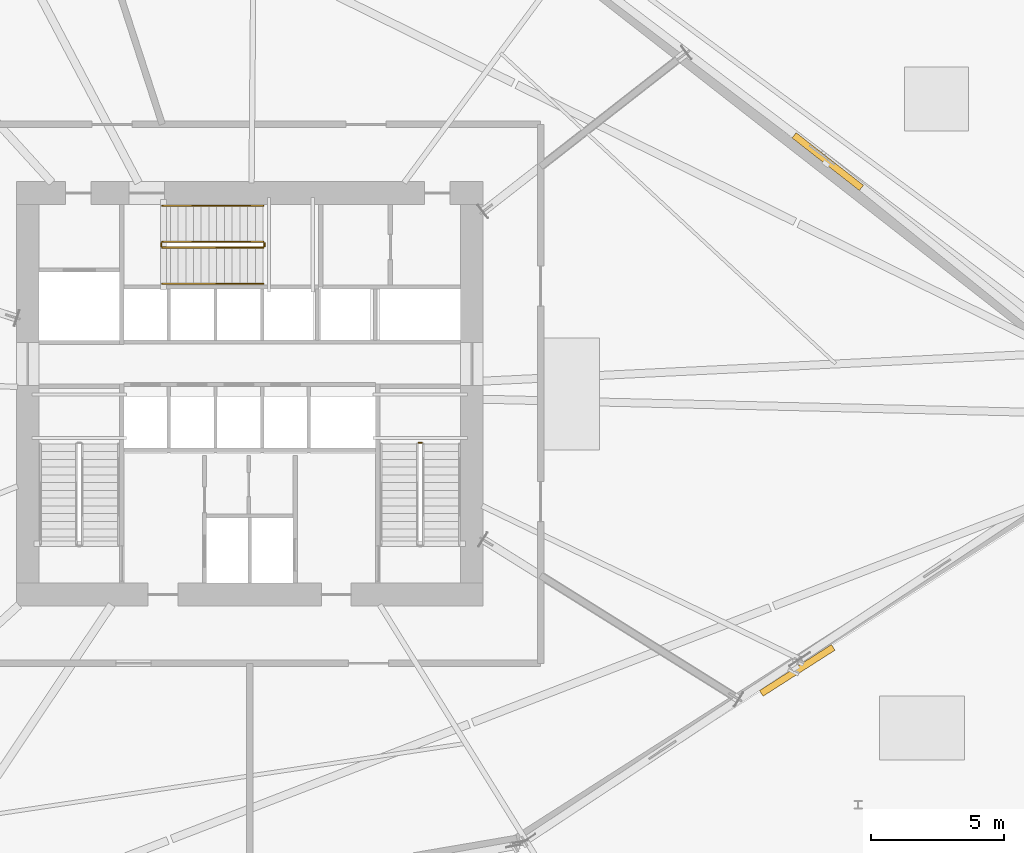
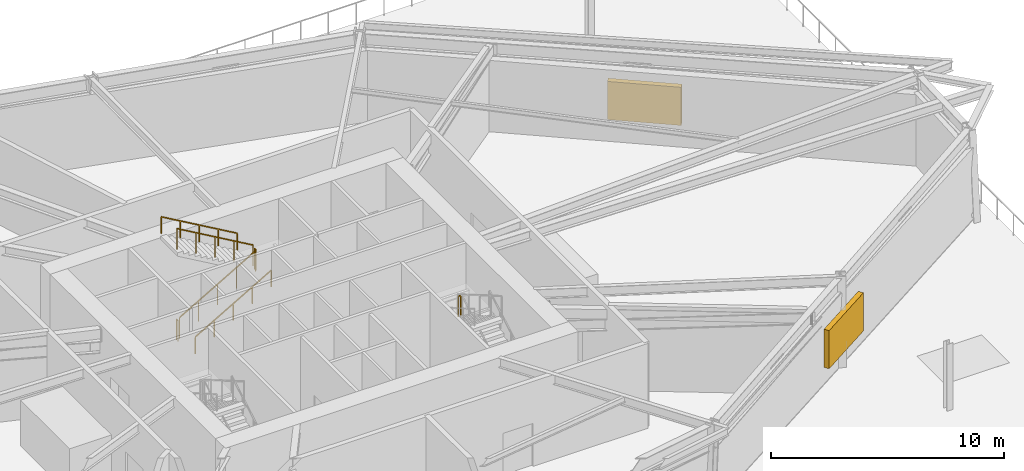
# One storey, part 18 of 20: 7 railings, 2 shading devices.
"""IFC4 building model written with IfcOpenShell, lengths in metres."""

from ifc_helpers import new_model, si_unit, direction, frame, origin, origin_2d, place, context, subcontext, project, spatial, rectangle, extrude, source, transform, mapped, material, type_object, element, save


model = new_model("IFC4")

# Units and contexts
model_context = context("Model", 3, precision=1e-05, world=origin(), true_north=direction((0.0, 1.0)))
body_context = subcontext(model_context, "Body", "Model", "MODEL_VIEW")
ifc_project = project(units=[si_unit("LENGTHUNIT", "METRE"), si_unit("AREAUNIT", "SQUARE_METRE"), si_unit("VOLUMEUNIT", "CUBIC_METRE"), si_unit("PLANEANGLEUNIT", "RADIAN"), si_unit("MASSUNIT", "GRAM", prefix="KILO")], contexts=[model_context])

# Site, building, storey
site_placement = place(None, origin())
site = spatial("IfcSite", under=ifc_project, at=site_placement, CompositionType="ELEMENT")
building_placement = place(site_placement, origin())
building = spatial("IfcBuilding", under=site, at=building_placement, Name="Olszyna Solenne Hotel", CompositionType="ELEMENT")
storey_placement = place(building_placement, frame((0.0, 0.0, 24.60009765625)))
storey = spatial("IfcBuildingStorey", under=building, at=storey_placement, Name="L05", CompositionType="ELEMENT", Elevation=24.60009765625)

# Railings
ifc_material_1 = material(Name="Anodised bronze aluminium", Category="aluminium")
railing_type_1 = type_object("IfcRailingType", Name="GR-110", PredefinedType="BALUSTRADE", material=ifc_material_1)
railing_1_placement = place(storey_placement, frame((44.449951171875, 24.77001953125, 2.349853515625)))
element("IfcRailing", 1, at=railing_1_placement, inside=storey, type_object=railing_type_1, Name="L05 ST2 stair guard 2", PredefinedType="BALUSTRADE", context=body_context, shape_type="SweptSolid", body=[
    extrude(rectangle(XDim=0.048095703125, YDim=0.048095703125, at=origin_2d()), frame((0.0, 0.0, 1.076171875), z_axis=(-1.0, 0.0, 0.0), x_axis=(0.0, -1.0, 0.0)), (0.0, 0.0, 1.0), 0.119873046875),
    extrude(rectangle(XDim=0.0419921875, YDim=0.0419921875, at=origin_2d()), origin(), (0.0, 0.0, 1.0), 1.052001953125),
    extrude(rectangle(XDim=0.0419921875, YDim=0.0419921875, at=origin_2d()), frame((-0.119873046875, 0.0, 0.0)), (0.0, 0.0, 1.0), 1.052001953125),
])
railing_2_placement = place(storey_placement, frame((34.72998046875, 32.080078125, 0.167724609375)))
element("IfcRailing", 2, at=railing_2_placement, inside=storey, type_object=railing_type_1, Name="L05 ST3 stair guard 1", PredefinedType="BALUSTRADE", context=body_context, shape_type="SweptSolid", body=[
    extrude(rectangle(XDim=0.048095703125, YDim=0.048095703125, at=origin_2d()), frame((0.0, 0.0, 1.076171875), z_axis=(0.865477444186, 0.0, 0.5009478951), x_axis=(0.0, 1.0, 0.0)), (0.0, 0.0, 1.0), 4.35595703125),
    extrude(rectangle(XDim=0.0419921875, YDim=0.0419921875, at=origin_2d()), origin(), (0.0, 0.0, 1.0), 1.052001953125),
    extrude(rectangle(XDim=0.0419921875, YDim=0.0419921875, at=origin_2d()), frame((0.9423828125, 0.0, 0.54541015625)), (0.0, 0.0, 1.0), 1.052001953125),
    extrude(rectangle(XDim=0.0419921875, YDim=0.0419921875, at=origin_2d()), frame((1.885009765625, 0.0, 1.091064453125)), (0.0, 0.0, 1.0), 1.052001953125),
    extrude(rectangle(XDim=0.0419921875, YDim=0.0419921875, at=origin_2d()), frame((2.82763671875, 0.0, 1.63671875)), (0.0, 0.0, 1.0), 1.052001953125),
    extrude(rectangle(XDim=0.0419921875, YDim=0.0419921875, at=origin_2d()), frame((3.77001953125, 0.0, 2.18212890625)), (0.0, 0.0, 1.0), 1.052001953125),
])
railing_3_placement = place(storey_placement, frame((38.550048828125, 32.1298828125, 2.349853515625)))
element("IfcRailing", 3, at=railing_3_placement, inside=storey, type_object=railing_type_1, Name="L05 ST3 stair guard 2", PredefinedType="BALUSTRADE", context=body_context, shape_type="SweptSolid", body=[
    extrude(rectangle(XDim=0.048095703125, YDim=0.048095703125, at=origin_2d()), frame((0.0, 0.0, 1.076171875), z_axis=(0.0, 1.0, 0.0), x_axis=(-1.0, 0.0, 0.0)), (0.0, 0.0, 1.0), 0.1201171875),
    extrude(rectangle(XDim=0.0419921875, YDim=0.0419921875, at=origin_2d()), origin(), (0.0, 0.0, 1.0), 1.052001953125),
    extrude(rectangle(XDim=0.0419921875, YDim=0.0419921875, at=origin_2d()), frame((0.0, 0.1201171875, 0.0)), (0.0, 0.0, 1.0), 1.052001953125),
])
railing_4_placement = place(storey_placement, frame((38.5, 32.300048828125, 2.517822265625)))
element("IfcRailing", 4, at=railing_4_placement, inside=storey, type_object=railing_type_1, Name="L05 ST3 stair guard 3", PredefinedType="BALUSTRADE", context=body_context, shape_type="SweptSolid", body=[
    extrude(rectangle(XDim=0.048095703125, YDim=0.048095703125, at=origin_2d()), frame((0.0, 0.0, 1.076171875), z_axis=(-0.865477444186, 0.0, 0.5009478951), x_axis=(0.0, -1.0, 0.0)), (0.0, 0.0, 1.0), 4.35595703125),
    extrude(rectangle(XDim=0.0419921875, YDim=0.0419921875, at=origin_2d()), origin(), (0.0, 0.0, 1.0), 1.052001953125),
    extrude(rectangle(XDim=0.0419921875, YDim=0.0419921875, at=origin_2d()), frame((-0.9423828125, 0.0, 0.54541015625)), (0.0, 0.0, 1.0), 1.052001953125),
    extrude(rectangle(XDim=0.0419921875, YDim=0.0419921875, at=origin_2d()), frame((-1.885009765625, 0.0, 1.091064453125)), (0.0, 0.0, 1.0), 1.052001953125),
    extrude(rectangle(XDim=0.0419921875, YDim=0.0419921875, at=origin_2d()), frame((-2.82763671875, 0.0, 1.63671875)), (0.0, 0.0, 1.0), 1.052001953125),
    extrude(rectangle(XDim=0.0419921875, YDim=0.0419921875, at=origin_2d()), frame((-3.77001953125, 0.0, 2.18212890625)), (0.0, 0.0, 1.0), 1.052001953125),
])
railing_5_placement = place(storey_placement, frame((34.679931640625, 32.1298828125, 0.0)))
element("IfcRailing", 5, at=railing_5_placement, inside=storey, type_object=railing_type_1, Name="L05 ST3 stair guard 4", PredefinedType="BALUSTRADE", context=body_context, shape_type="SweptSolid", body=[
    extrude(rectangle(XDim=0.048095703125, YDim=0.048095703125, at=origin_2d()), frame((0.0, 0.0, 1.076171875), z_axis=(0.0, 1.0, 0.0), x_axis=(-1.0, 0.0, 0.0)), (0.0, 0.0, 1.0), 0.1201171875),
    extrude(rectangle(XDim=0.0419921875, YDim=0.0419921875, at=origin_2d()), origin(), (0.0, 0.0, 1.0), 1.052001953125),
    extrude(rectangle(XDim=0.0419921875, YDim=0.0419921875, at=origin_2d()), frame((0.0, 0.1201171875, 0.0)), (0.0, 0.0, 1.0), 1.052001953125),
])
ifc_material_2 = material(Name="Steel S355J2", Category="steel")
railing_type_2 = type_object("IfcRailingType", Name="HR-090", PredefinedType="HANDRAIL", material=ifc_material_2)
railing_6_placement = place(storey_placement, frame((34.72998046875, 30.72998046875, 0.167724609375)))
element("IfcRailing", 6, at=railing_6_placement, inside=storey, type_object=railing_type_2, Name="L05 ST3 stair handrail 1", PredefinedType="HANDRAIL", context=body_context, shape_type="SweptSolid", body=[
    extrude(rectangle(XDim=0.048095703125, YDim=0.048095703125, at=origin_2d()), frame((0.0, 0.0, 0.8759765625), z_axis=(0.865477444186, 0.0, 0.5009478951), x_axis=(0.0, 1.0, 0.0)), (0.0, 0.0, 1.0), 4.35595703125),
    extrude(rectangle(XDim=0.0419921875, YDim=0.0419921875, at=origin_2d()), origin(), (0.0, 0.0, 1.0), 0.851806640625),
    extrude(rectangle(XDim=0.0419921875, YDim=0.0419921875, at=origin_2d()), frame((0.9423828125, 0.0, 0.54541015625)), (0.0, 0.0, 1.0), 0.851806640625),
    extrude(rectangle(XDim=0.0419921875, YDim=0.0419921875, at=origin_2d()), frame((1.885009765625, 0.0, 1.091064453125)), (0.0, 0.0, 1.0), 0.851806640625),
    extrude(rectangle(XDim=0.0419921875, YDim=0.0419921875, at=origin_2d()), frame((2.82763671875, 0.0, 1.63671875)), (0.0, 0.0, 1.0), 0.851806640625),
    extrude(rectangle(XDim=0.0419921875, YDim=0.0419921875, at=origin_2d()), frame((3.77001953125, 0.0, 2.18212890625)), (0.0, 0.0, 1.0), 0.851806640625),
])
railing_7_placement = place(storey_placement, frame((38.5, 33.64990234375, 2.517822265625)))
element("IfcRailing", 7, at=railing_7_placement, inside=storey, type_object=railing_type_2, Name="L05 ST3 stair handrail 2", PredefinedType="HANDRAIL", context=body_context, shape_type="SweptSolid", body=[
    extrude(rectangle(XDim=0.048095703125, YDim=0.048095703125, at=origin_2d()), frame((0.0, 0.0, 0.8759765625), z_axis=(-0.865477444186, 0.0, 0.5009478951), x_axis=(0.0, -1.0, 0.0)), (0.0, 0.0, 1.0), 4.35595703125),
    extrude(rectangle(XDim=0.0419921875, YDim=0.0419921875, at=origin_2d()), origin(), (0.0, 0.0, 1.0), 0.851806640625),
    extrude(rectangle(XDim=0.0419921875, YDim=0.0419921875, at=origin_2d()), frame((-0.9423828125, 0.0, 0.54541015625)), (0.0, 0.0, 1.0), 0.851806640625),
    extrude(rectangle(XDim=0.0419921875, YDim=0.0419921875, at=origin_2d()), frame((-1.885009765625, 0.0, 1.091064453125)), (0.0, 0.0, 1.0), 0.851806640625),
    extrude(rectangle(XDim=0.0419921875, YDim=0.0419921875, at=origin_2d()), frame((-2.82763671875, 0.0, 1.63671875)), (0.0, 0.0, 1.0), 0.851806640625),
    extrude(rectangle(XDim=0.0419921875, YDim=0.0419921875, at=origin_2d()), frame((-3.77001953125, 0.0, 2.18212890625)), (0.0, 0.0, 1.0), 0.851806640625),
])

# Shading devices
ifc_material_3 = material(Name="Terracotta cladding", Category="masonry")
shading_device_type = type_object("IfcShadingDeviceType", Name="SH-LV1", PredefinedType="JALOUSIE", material=ifc_material_3)
shared_shape = source(origin(), body_context, "Body", "SweptSolid", [
    extrude(rectangle(XDim=3.199951171875, YDim=0.25, at=origin_2d()), origin(), (0.0, 0.0, 1.0), 2.0),
])
for number, where, z_axis, x_axis, name in (
    (8, (59.6640625, 35.3046875, 0.870849609375), (0.0, 0.0, 1.0), (0.788118194802, -0.615523932127, 0.0), "Terracotta acoustic plant louvre bank LV-L05-07"),
    (9, (58.520751953125, 16.232421875, 0.870849609375), (0.0, 0.0, 1.0), (-0.842452397007, -0.538770785007, 0.0), "Terracotta acoustic plant louvre bank LV-L05-09"),
):
    element("IfcShadingDevice", number, at=place(storey_placement, frame(where, z_axis=z_axis, x_axis=x_axis)), inside=storey, type_object=shading_device_type, Name=name, PredefinedType="JALOUSIE", context=body_context, shape_type="MappedRepresentation", body=[
        mapped(shared_shape, transform((0.0, 0.0, 0.0), x_axis=(1.0, 0.0, 0.0), y_axis=(0.0, 1.0, 0.0), z_axis=(0.0, 0.0, 1.0), scale=1.0)),
    ])

save(model, "model.ifc")
